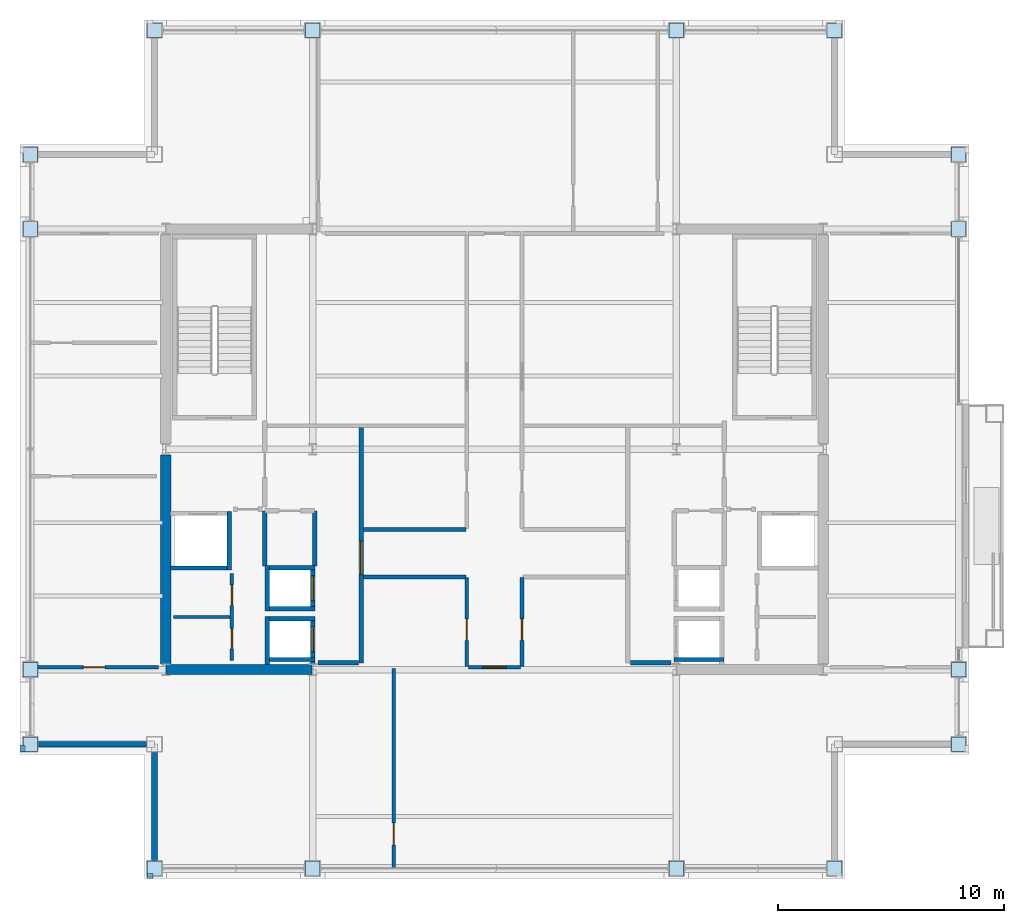
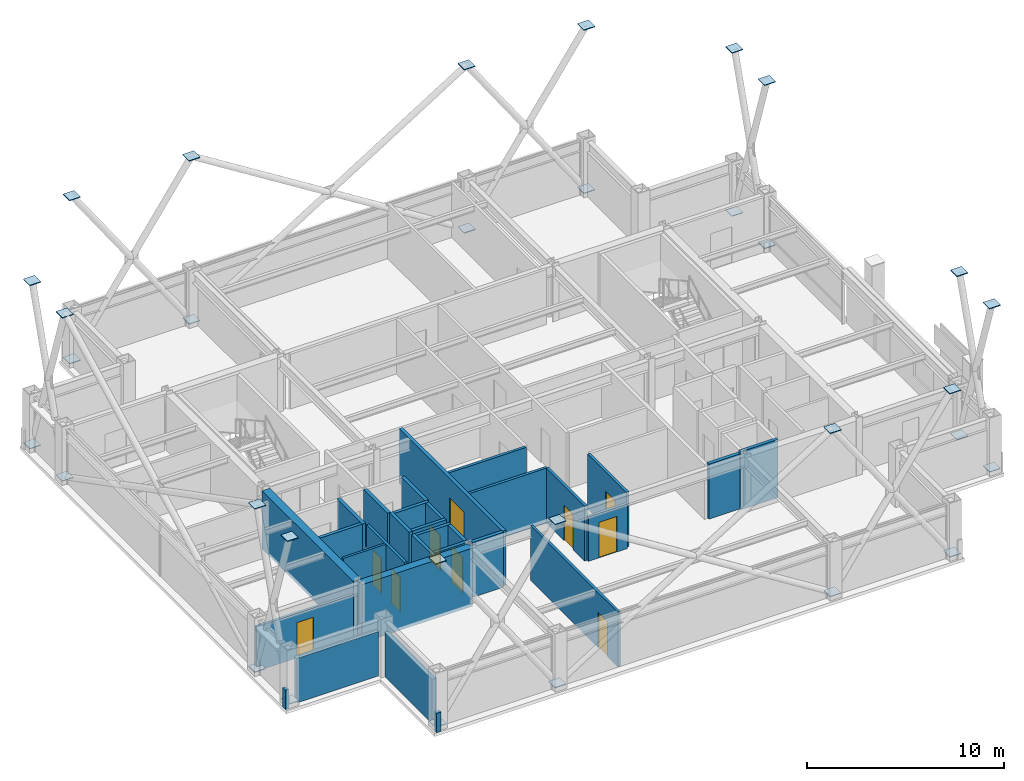
# One storey, part 28 of 33: 32 plates, 31 walls, 10 doors, 10 openings.
"""IFC4 building model written with IfcOpenShell, lengths in metres."""

from ifc_helpers import new_model, si_unit, direction, frame, frame_2d, origin, origin_2d, place, context, subcontext, project, spatial, rectangle, extrude, material, layer, layer_set, type_object, element, fill, save


model = new_model("IFC4")

# Units and contexts
model_context = context("Model", 3, precision=1e-05, world=origin(), true_north=direction((0.0, 1.0)))
body_context = subcontext(model_context, "Body", "Model", "MODEL_VIEW")
ifc_project = project(units=[si_unit("LENGTHUNIT", "METRE"), si_unit("AREAUNIT", "SQUARE_METRE"), si_unit("VOLUMEUNIT", "CUBIC_METRE"), si_unit("PLANEANGLEUNIT", "RADIAN"), si_unit("MASSUNIT", "GRAM", prefix="KILO")], contexts=[model_context])

# Site, building, storey
site_placement = place(None, origin())
site = spatial("IfcSite", under=ifc_project, at=site_placement, CompositionType="ELEMENT")
building_placement = place(site_placement, origin())
building = spatial("IfcBuilding", under=site, at=building_placement, Name="Brelmoor Portico Tower", CompositionType="ELEMENT")
storey_placement = place(building_placement, frame((0.0, 0.0, 194.699951171875)))
storey = spatial("IfcBuildingStorey", under=building, at=storey_placement, Name="L51", CompositionType="ELEMENT", Elevation=194.699951171875)

# Plates
ifc_material_1 = material(Name="Steel Q355B", Category="steel")
ifc_layer_1 = layer(ifc_material_1, 0.044921875)
ifc_layer_set_1 = layer_set([ifc_layer_1], Name="Steel Q355B")
plate_type = type_object("IfcPlateType", Name="PT-CAP-650", PredefinedType="SHEET", material=ifc_layer_set_1)
for number, where, z_axis, x_axis, name in (
    (1, (-15.050048828125, -18.550048828125, 0.2275390625), (0.0, 0.0, 1.0), (1.0, 0.0, 0.0), "L51 Continuous Mega-X Brace 116A Joint Cap Plate 1"),
    (2, (-8.050048828125, -18.550048828125, 10.32763671875), (0.0, 0.0, 1.0), (1.0, 0.0, 0.0), "L51 Continuous Mega-X Brace 116A Joint Cap Plate 2"),
    (3, (-8.050048828125, -18.550048828125, 0.2275390625), (0.0, 0.0, 1.0), (1.0, 0.0, 0.0), "L51 Split Mega-X Brace 116B1 Joint Cap Plate 1"),
    (4, (-15.050048828125, -18.550048828125, 10.32763671875), (0.0, 0.0, 1.0), (1.0, 0.0, 0.0), "L51 Split Mega-X Brace 116B2 Joint Cap Plate 2"),
    (5, (8.050048828125, -18.550048828125, 10.32763671875), (0.0, 0.0, 1.0), (1.0, 0.0, 0.0), "L51 Continuous Mega-X Brace 117A Joint Cap Plate 2"),
    (6, (8.050048828125, -18.550048828125, 0.2275390625), (0.0, 0.0, 1.0), (1.0, 0.0, 0.0), "L51 Split Mega-X Brace 117B1 Joint Cap Plate 1"),
    (7, (15.050048828125, -18.550048828125, 10.32763671875), (0.0, 0.0, 1.0), (1.0, 0.0, 0.0), "L51 Continuous Mega-X Brace 118A Joint Cap Plate 2"),
    (8, (15.050048828125, -18.550048828125, 0.2275390625), (0.0, 0.0, 1.0), (1.0, 0.0, 0.0), "L51 Split Mega-X Brace 118B1 Joint Cap Plate 1"),
    (9, (-15.050048828125, 18.550048828125, 0.2275390625), (0.0, 0.0, 1.0), (1.0, 0.0, 0.0), "L51 Continuous Mega-X Brace 119A Joint Cap Plate 1"),
    (10, (-8.050048828125, 18.550048828125, 10.32763671875), (0.0, 0.0, 1.0), (1.0, 0.0, 0.0), "L51 Continuous Mega-X Brace 119A Joint Cap Plate 2"),
    (11, (-8.050048828125, 18.550048828125, 0.2275390625), (0.0, 0.0, 1.0), (1.0, 0.0, 0.0), "L51 Split Mega-X Brace 119B1 Joint Cap Plate 1"),
    (12, (-15.050048828125, 18.550048828125, 10.32763671875), (0.0, 0.0, 1.0), (1.0, 0.0, 0.0), "L51 Split Mega-X Brace 119B2 Joint Cap Plate 2"),
    (13, (8.050048828125, 18.550048828125, 10.32763671875), (0.0, 0.0, 1.0), (1.0, 0.0, 0.0), "L51 Continuous Mega-X Brace 120A Joint Cap Plate 2"),
    (14, (8.050048828125, 18.550048828125, 0.2275390625), (0.0, 0.0, 1.0), (1.0, 0.0, 0.0), "L51 Split Mega-X Brace 120B1 Joint Cap Plate 1"),
    (15, (15.050048828125, 18.550048828125, 10.32763671875), (0.0, 0.0, 1.0), (1.0, 0.0, 0.0), "L51 Continuous Mega-X Brace 121A Joint Cap Plate 2"),
    (16, (15.050048828125, 18.550048828125, 0.2275390625), (0.0, 0.0, 1.0), (1.0, 0.0, 0.0), "L51 Split Mega-X Brace 121B1 Joint Cap Plate 1"),
    (17, (-20.550048828125, -13.050048828125, 0.2275390625), (0.0, 0.0, 1.0), (1.0, 0.0, 0.0), "L51 Continuous Mega-X Brace 122A Joint Cap Plate 1"),
    (18, (-20.550048828125, -9.75, 10.32763671875), (0.0, 0.0, 1.0), (1.0, 0.0, 0.0), "L51 Continuous Mega-X Brace 122A Joint Cap Plate 2"),
    (19, (-20.550048828125, -9.75, 0.2275390625), (0.0, 0.0, 1.0), (1.0, 0.0, 0.0), "L51 Split Mega-X Brace 122B1 Joint Cap Plate 1"),
    (20, (-20.550048828125, -13.050048828125, 10.32763671875), (0.0, 0.0, 1.0), (1.0, 0.0, 0.0), "L51 Split Mega-X Brace 122B2 Joint Cap Plate 2"),
    (21, (-20.550048828125, 9.75, 10.32763671875), (0.0, 0.0, 1.0), (1.0, 0.0, 0.0), "L51 Continuous Mega-X Brace 123A Joint Cap Plate 2"),
    (22, (-20.550048828125, 9.75, 0.2275390625), (0.0, 0.0, 1.0), (1.0, 0.0, 0.0), "L51 Split Mega-X Brace 123B1 Joint Cap Plate 1"),
    (23, (-20.550048828125, 13.050048828125, 10.32763671875), (0.0, 0.0, 1.0), (1.0, 0.0, 0.0), "L51 Continuous Mega-X Brace 124A Joint Cap Plate 2"),
    (24, (-20.550048828125, 13.050048828125, 0.2275390625), (0.0, 0.0, 1.0), (1.0, 0.0, 0.0), "L51 Split Mega-X Brace 124B1 Joint Cap Plate 1"),
    (25, (20.550048828125, -13.050048828125, 0.2275390625), (0.0, 0.0, 1.0), (1.0, 0.0, 0.0), "L51 Continuous Mega-X Brace 125A Joint Cap Plate 1"),
    (26, (20.550048828125, -9.75, 10.32763671875), (0.0, 0.0, 1.0), (1.0, 0.0, 0.0), "L51 Continuous Mega-X Brace 125A Joint Cap Plate 2"),
    (27, (20.550048828125, -9.75, 0.2275390625), (0.0, 0.0, 1.0), (1.0, 0.0, 0.0), "L51 Split Mega-X Brace 125B1 Joint Cap Plate 1"),
    (28, (20.550048828125, -13.050048828125, 10.32763671875), (0.0, 0.0, 1.0), (1.0, 0.0, 0.0), "L51 Split Mega-X Brace 125B2 Joint Cap Plate 2"),
    (29, (20.550048828125, 9.75, 0.2275390625), (0.0, 0.0, 1.0), (1.0, 0.0, 0.0), "L51 Continuous Mega-X Brace 126A Joint Cap Plate 1"),
    (30, (20.550048828125, 13.050048828125, 10.32763671875), (0.0, 0.0, 1.0), (1.0, 0.0, 0.0), "L51 Continuous Mega-X Brace 126A Joint Cap Plate 2"),
    (31, (20.550048828125, 13.050048828125, 0.2275390625), (0.0, 0.0, 1.0), (1.0, 0.0, 0.0), "L51 Split Mega-X Brace 126B1 Joint Cap Plate 1"),
    (32, (20.550048828125, 9.75, 10.32763671875), (0.0, 0.0, 1.0), (1.0, 0.0, 0.0), "L51 Split Mega-X Brace 126B2 Joint Cap Plate 2"),
):
    element("IfcPlate", number, at=place(storey_placement, frame(where, z_axis=z_axis, x_axis=x_axis)), inside=storey, type_object=plate_type, Name=name, PredefinedType="SHEET", context=body_context, shape_type="SweptSolid", body=[
        extrude(rectangle(XDim=0.64990234375, YDim=0.64990234375, at=origin_2d()), origin(), (0.0, 0.0, 1.0), 0.044921875),
    ])

# Walls
ifc_material_2 = material(Name="Concrete C50", Category="concrete")
ifc_layer_2 = layer(ifc_material_2, 0.449951171875)
ifc_layer_set_2 = layer_set([ifc_layer_2], Name="Concrete C50")
wall_type_1 = type_object("IfcWallType", Name="WL-CORE-450", PredefinedType="SHEAR", material=ifc_layer_set_2)
wall_1_placement = place(storey_placement, frame((-14.530029296875, -9.75, -0.199951171875), z_axis=(0.0, 0.0, 1.0), x_axis=(1.0, 0.0, 0.0)))
element("IfcWall", 33, at=wall_1_placement, inside=storey, type_object=wall_type_1, Name="L51 WC South Shear Wall", PredefinedType="SHEAR", context=body_context, shape_type="SweptSolid", body=[
    extrude(rectangle(XDim=6.4599609375, YDim=0.449951171875, at=frame_2d((3.22998046875, 0.0))), origin(), (0.0, 0.0, 1.0), 3.60009765625),
])
wall_2_placement = place(storey_placement, frame((-14.550048828125, -9.5, -0.199951171875), z_axis=(0.0, 0.0, 1.0), x_axis=(0.0, 1.0, 0.0)))
element("IfcWall", 34, at=wall_2_placement, inside=storey, type_object=wall_type_1, Name="L51 WC Outer South Shear Wall", PredefinedType="SHEAR", context=body_context, shape_type="SweptSolid", body=[
    extrude(rectangle(XDim=9.25, YDim=0.449951171875, at=frame_2d((4.625, 0.0))), origin(), (0.0, 0.0, 1.0), 3.60009765625),
])
ifc_material_3 = material(Name="Precast Concrete C40 Insulated Facade Wall", Category="concrete")
ifc_layer_3 = layer(ifc_material_3, 0.25)
ifc_layer_set_3 = layer_set([ifc_layer_3], Name="Precast Concrete C40 Insulated Facade Wall")
wall_type_2 = type_object("IfcWallType", Name="WL-EXT-250", PredefinedType="STANDARD", material=ifc_layer_set_3)
for number, where, z_axis, x_axis, name in (
    (35, (-20.18994140625, -13.050048828125, 0.0), (0.0, 0.0, 1.0), (1.0, 0.0, 0.0), "L51 Corner Notch Facade Wall NSWH1"),
    (36, (-15.050048828125, -18.18994140625, 0.0), (0.0, 0.0, 1.0), (0.0, 1.0, 0.0), "L51 Corner Notch Facade Wall NSWV1"),
):
    element("IfcWall", number, at=place(storey_placement, frame(where, z_axis=z_axis, x_axis=x_axis)), inside=storey, type_object=wall_type_2, Name=name, PredefinedType="STANDARD", context=body_context, shape_type="SweptSolid", body=[
        extrude(rectangle(XDim=4.780029296875, YDim=0.25, at=frame_2d((2.39013671875, 0.0))), origin(), (0.0, 0.0, 1.0), 2.75),
    ])
ifc_material_4 = material(Name="Concrete C40 Parapet Upstand", Category="concrete")
ifc_layer_4 = layer(ifc_material_4, 0.219970703125)
ifc_layer_set_4 = layer_set([ifc_layer_4], Name="Concrete C40 Parapet Upstand")
wall_type_3 = type_object("IfcWallType", Name="WL-PARAPET-220", PredefinedType="PARAPET", material=ifc_layer_set_4)
for number, where, z_axis, x_axis, name in (
    (37, (-15.389892578125, -18.889892578125, 0.0), (0.0, 0.0, 1.0), (1.0, 0.0, 0.0), "L51 Chamfer Vertex Parapet Pier SW1"),
    (38, (-20.889892578125, -13.389892578125, 0.0), (0.0, 0.0, 1.0), (0.0, 1.0, 0.0), "L51 Chamfer Vertex Parapet Pier SW2"),
):
    element("IfcWall", number, at=place(storey_placement, frame(where, z_axis=z_axis, x_axis=x_axis)), inside=storey, type_object=wall_type_3, Name=name, PredefinedType="PARAPET", context=body_context, shape_type="SweptSolid", body=[
        extrude(rectangle(XDim=0.269775390625, YDim=0.219970703125, at=frame_2d((0.134765625, 0.0))), origin(), (0.0, 0.0, 1.0), 1.199951171875),
    ])
ifc_material_5 = material(Name="Insulated Stud Suite Partition", Category="gypsum")
ifc_layer_5 = layer(ifc_material_5, 0.139892578125)
ifc_layer_set_5 = layer_set([ifc_layer_5], Name="Insulated Stud Suite Partition")
wall_type_4 = type_object("IfcWallType", Name="WL-PART-140", PredefinedType="PARTITIONING", material=ifc_layer_set_5)
wall_3_placement = place(storey_placement, frame((-11.699951171875, -7.425048828125, 0.0), z_axis=(0.0, 0.0, 1.0), x_axis=(-1.0, 0.0, 0.0)))
element("IfcWall", 39, at=wall_3_placement, inside=storey, type_object=wall_type_4, Name="L51 W Core WC Divider 1", PredefinedType="PARTITIONING", context=body_context, shape_type="SweptSolid", body=[
    extrude(rectangle(XDim=2.5, YDim=0.139892578125, at=frame_2d((1.25, 0.0))), origin(), (0.0, 0.0, 1.0), 3.400146484375),
])

# Wall, opening, door
ifc_material_6 = material(Name="Wet-Area Moisture-Resistant Partition", Category="gypsum")
ifc_layer_6 = layer(ifc_material_6, 0.14990234375)
ifc_layer_set_6 = layer_set([ifc_layer_6], Name="Wet-Area Moisture-Resistant Partition")
wall_type_5 = type_object("IfcWallType", Name="WL-PART-150", PredefinedType="PARTITIONING", material=ifc_layer_set_6)
wall_4_placement = place(storey_placement, frame((-4.451171875, -18.56005859375, 0.0), z_axis=(0.0, 0.0, 1.0), x_axis=(0.0, 1.0, 0.0)))
wall_4 = element("IfcWall", 40, at=wall_4_placement, inside=storey, type_object=wall_type_5, Name="L51 South Suite Partition 1", PredefinedType="PARTITIONING", context=body_context, shape_type="SweptSolid", body=[
    extrude(rectangle(XDim=8.85009765625, YDim=0.14990234375, at=frame_2d((4.425048828125, 0.0))), origin(), (0.0, 0.0, 1.0), 3.400146484375),
])
opening_1_placement = place(wall_4_placement, frame((1.050048828125, 0.0, 0.0)))
opening_1 = element("IfcOpeningElement", 41, at=opening_1_placement, cuts=wall_4, Name="Opening D-IN2", PredefinedType="OPENING", context=body_context, shape_type="SweptSolid", body=[
    extrude(rectangle(XDim=0.9599609375, YDim=2.179931640625, at=frame_2d((0.47998046875, 1.08984375))), frame((0.0, 0.0849609375, 0.0), z_axis=(0.0, -1.0, 0.0), x_axis=(1.0, 0.0, 0.0)), (0.0, 0.0, 1.0), 0.169921875),
])
ifc_material_7 = material(Name="Lacquered Timber Suite Door", Category="wood")
door_type_1 = type_object("IfcDoorType", Name="DR-INT-950", OperationType="NOTDEFINED", PredefinedType="DOOR", material=ifc_material_7)
door_1_placement = place(opening_1_placement, origin())
door_1 = element("IfcDoor", 42, at=door_1_placement, inside=storey, type_object=door_type_1, Name="D-2166 L51 South Suite Connecting Door 1", OperationType="SINGLE_SWING_LEFT", OverallHeight=2.179931640625, OverallWidth=0.9599609375, PredefinedType="DOOR", context=body_context, shape_type="SweptSolid", body=[
    extrude(rectangle(XDim=0.9599609375, YDim=2.179931640625, at=frame_2d((0.47998046875, 1.08984375))), frame((0.0, 0.02490234375, 0.0), z_axis=(0.0, -1.0, 0.0), x_axis=(1.0, 0.0, 0.0)), (0.0, 0.0, 1.0), 0.050048828125),
])
fill(opening_1, door_1)

wall_5_placement = place(storey_placement, frame((-20.56005859375, -9.64990234375, 0.0), z_axis=(0.0, 0.0, 1.0), x_axis=(1.0, 0.0, 0.0)))
wall_5 = element("IfcWall", 43, at=wall_5_placement, inside=storey, type_object=wall_type_5, Name="L51 South Wing Closure WL", PredefinedType="PARTITIONING", context=body_context, shape_type="SweptSolid", body=[
    extrude(rectangle(XDim=5.68017578125, YDim=0.14990234375, at=frame_2d((2.840087890625, 0.0))), origin(), (0.0, 0.0, 1.0), 2.75),
])
opening_2_placement = place(wall_5_placement, frame((2.360107421875, 0.0, 0.0)))
opening_2 = element("IfcOpeningElement", 44, at=opening_2_placement, cuts=wall_5, Name="Opening D-IN2", PredefinedType="OPENING", context=body_context, shape_type="SweptSolid", body=[
    extrude(rectangle(XDim=0.9599609375, YDim=2.179931640625, at=frame_2d((0.47998046875, 1.08984375))), frame((0.0, 0.0849609375, 0.0), z_axis=(0.0, -1.0, 0.0), x_axis=(1.0, 0.0, 0.0)), (0.0, 0.0, 1.0), 0.169921875),
])
door_2_placement = place(opening_2_placement, origin())
door_2 = element("IfcDoor", 45, at=door_2_placement, inside=storey, type_object=door_type_1, Name="D-2170 L51 WL Wing South Suite Door", OperationType="SINGLE_SWING_LEFT", OverallHeight=2.179931640625, OverallWidth=0.9599609375, PredefinedType="DOOR", context=body_context, shape_type="SweptSolid", body=[
    extrude(rectangle(XDim=0.9599609375, YDim=2.179931640625, at=frame_2d((0.47998046875, 1.08984375))), frame((0.0, 0.02490234375, 0.0), z_axis=(0.0, -1.0, 0.0), x_axis=(1.0, 0.0, 0.0)), (0.0, 0.0, 1.0), 0.050048828125),
])
fill(opening_2, door_2)

# Wall, openings, doors
ifc_material_8 = material(Name="Twin-Frame Acoustic Partition", Category="gypsum")
ifc_layer_7 = layer(ifc_material_8, 0.159912109375)
ifc_layer_set_7 = layer_set([ifc_layer_7], Name="Twin-Frame Acoustic Partition")
wall_type_6 = type_object("IfcWallType", Name="WL-PART-160", PredefinedType="PARTITIONING", material=ifc_layer_set_7)
wall_6_placement = place(storey_placement, frame((-11.6201171875, -9.35009765625, 0.0), z_axis=(0.0, 0.0, 1.0), x_axis=(0.0, 1.0, 0.0)))
wall_6 = element("IfcWall", 46, at=wall_6_placement, inside=storey, type_object=wall_type_6, Name="L51 W Core Service Front Wall", PredefinedType="PARTITIONING", context=body_context, shape_type="SweptSolid", body=[
    extrude(rectangle(XDim=3.85009765625, YDim=0.159912109375, at=frame_2d((1.925048828125, 0.0))), origin(), (0.0, 0.0, 1.0), 3.400146484375),
])
opening_3_placement = place(wall_6_placement, frame((0.512451171875, 0.0, 0.0)))
opening_3 = element("IfcOpeningElement", 47, at=opening_3_placement, cuts=wall_6, Name="Opening D-IN1", PredefinedType="OPENING", context=body_context, shape_type="SweptSolid", body=[
    extrude(rectangle(XDim=0.89990234375, YDim=2.14990234375, at=frame_2d((0.449951171875, 1.074951171875))), frame((0.0, 0.08984375, 0.0), z_axis=(0.0, -1.0, 0.0), x_axis=(1.0, 0.0, 0.0)), (0.0, 0.0, 1.0), 0.179931640625),
])
opening_4_placement = place(wall_6_placement, frame((2.4375, 0.0, 0.0)))
opening_4 = element("IfcOpeningElement", 48, at=opening_4_placement, cuts=wall_6, Name="Opening D-IN1", PredefinedType="OPENING", context=body_context, shape_type="SweptSolid", body=[
    extrude(rectangle(XDim=0.89990234375, YDim=2.14990234375, at=frame_2d((0.449951171875, 1.074951171875))), frame((0.0, 0.08984375, 0.0), z_axis=(0.0, -1.0, 0.0), x_axis=(1.0, 0.0, 0.0)), (0.0, 0.0, 1.0), 0.179931640625),
])
door_type_2 = type_object("IfcDoorType", Name="DR-INT-900", OperationType="NOTDEFINED", PredefinedType="DOOR", material=ifc_material_7)
door_3_placement = place(opening_3_placement, origin())
door_3 = element("IfcDoor", 49, at=door_3_placement, inside=storey, type_object=door_type_2, Name="D-2151 L51 W Accessible WC Door", OperationType="SINGLE_SWING_RIGHT", OverallHeight=2.14990234375, OverallWidth=0.89990234375, PredefinedType="DOOR", context=body_context, shape_type="SweptSolid", body=[
    extrude(rectangle(XDim=0.89990234375, YDim=2.14990234375, at=frame_2d((0.449951171875, 1.074951171875))), frame((0.0, 0.02490234375, 0.0), z_axis=(0.0, -1.0, 0.0), x_axis=(1.0, 0.0, 0.0)), (0.0, 0.0, 1.0), 0.050048828125),
])
fill(opening_3, door_3)
door_4_placement = place(opening_4_placement, origin())
door_4 = element("IfcDoor", 50, at=door_4_placement, inside=storey, type_object=door_type_2, Name="D-2152 L51 W Staff WC Door", OperationType="SINGLE_SWING_LEFT", OverallHeight=2.14990234375, OverallWidth=0.89990234375, PredefinedType="DOOR", context=body_context, shape_type="SweptSolid", body=[
    extrude(rectangle(XDim=0.89990234375, YDim=2.14990234375, at=frame_2d((0.449951171875, 1.074951171875))), frame((0.0, 0.02490234375, 0.0), z_axis=(0.0, -1.0, 0.0), x_axis=(1.0, 0.0, 0.0)), (0.0, 0.0, 1.0), 0.050048828125),
])
fill(opening_4, door_4)

# Wall
wall_7_placement = place(storey_placement, frame((-5.800048828125, -3.550048828125, 0.0), z_axis=(0.0, 0.0, 1.0), x_axis=(1.0, 0.0, 0.0)))
element("IfcWall", 51, at=wall_7_placement, inside=storey, type_object=wall_type_6, Name="L51 West Pantry South Wall", PredefinedType="PARTITIONING", context=body_context, shape_type="SweptSolid", body=[
    extrude(rectangle(XDim=4.5400390625, YDim=0.159912109375, at=frame_2d((2.27001953125, 0.0))), origin(), (0.0, 0.0, 1.0), 3.400146484375),
])

# Wall, opening, door
wall_8_placement = place(storey_placement, frame((-1.219970703125, -9.610107421875, 0.0), z_axis=(0.0, 0.0, 1.0), x_axis=(0.0, 1.0, 0.0)))
wall_8 = element("IfcWall", 52, at=wall_8_placement, inside=storey, type_object=wall_type_6, Name="L51 South Cross West Wall", PredefinedType="PARTITIONING", context=body_context, shape_type="SweptSolid", body=[
    extrude(rectangle(XDim=3.93017578125, YDim=0.159912109375, at=frame_2d((1.965087890625, 0.0))), origin(), (0.0, 0.0, 1.0), 3.400146484375),
])
opening_5_placement = place(wall_8_placement, frame((1.14990234375, 0.0, 0.0)))
opening_5 = element("IfcOpeningElement", 53, at=opening_5_placement, cuts=wall_8, Name="Opening D-IN2", PredefinedType="OPENING", context=body_context, shape_type="SweptSolid", body=[
    extrude(rectangle(XDim=0.9599609375, YDim=2.179931640625, at=frame_2d((0.47998046875, 1.08984375))), frame((0.0, 0.08984375, 0.0), z_axis=(0.0, -1.0, 0.0), x_axis=(1.0, 0.0, 0.0)), (0.0, 0.0, 1.0), 0.179931640625),
])
door_5_placement = place(opening_5_placement, origin())
door_5 = element("IfcDoor", 54, at=door_5_placement, inside=storey, type_object=door_type_1, Name="D-2144 L51 South-West Archive Room Door", OperationType="SINGLE_SWING_LEFT", OverallHeight=2.179931640625, OverallWidth=0.9599609375, PredefinedType="DOOR", context=body_context, shape_type="SweptSolid", body=[
    extrude(rectangle(XDim=0.9599609375, YDim=2.179931640625, at=frame_2d((0.47998046875, 1.08984375))), frame((0.0, 0.02490234375, 0.0), z_axis=(0.0, -1.0, 0.0), x_axis=(1.0, 0.0, 0.0)), (0.0, 0.0, 1.0), 0.050048828125),
])
fill(opening_5, door_5)

wall_9_placement = place(storey_placement, frame((1.219970703125, -9.610107421875, 0.0), z_axis=(0.0, 0.0, 1.0), x_axis=(0.0, 1.0, 0.0)))
wall_9 = element("IfcWall", 55, at=wall_9_placement, inside=storey, type_object=wall_type_6, Name="L51 South Cross East Wall", PredefinedType="PARTITIONING", context=body_context, shape_type="SweptSolid", body=[
    extrude(rectangle(XDim=3.93017578125, YDim=0.159912109375, at=frame_2d((1.965087890625, 0.0))), origin(), (0.0, 0.0, 1.0), 3.400146484375),
])
opening_6_placement = place(wall_9_placement, frame((1.14990234375, 0.0, 0.0)))
opening_6 = element("IfcOpeningElement", 56, at=opening_6_placement, cuts=wall_9, Name="Opening D-IN2", PredefinedType="OPENING", context=body_context, shape_type="SweptSolid", body=[
    extrude(rectangle(XDim=0.9599609375, YDim=2.179931640625, at=frame_2d((0.47998046875, 1.08984375))), frame((0.0, 0.08984375, 0.0), z_axis=(0.0, -1.0, 0.0), x_axis=(1.0, 0.0, 0.0)), (0.0, 0.0, 1.0), 0.179931640625),
])
door_6_placement = place(opening_6_placement, origin())
door_6 = element("IfcDoor", 57, at=door_6_placement, inside=storey, type_object=door_type_1, Name="D-2143 L51 South-East Partner Office Door", OperationType="SINGLE_SWING_RIGHT", OverallHeight=2.179931640625, OverallWidth=0.9599609375, PredefinedType="DOOR", context=body_context, shape_type="SweptSolid", body=[
    extrude(rectangle(XDim=0.9599609375, YDim=2.179931640625, at=frame_2d((0.47998046875, 1.08984375))), frame((0.0, 0.02490234375, 0.0), z_axis=(0.0, -1.0, 0.0), x_axis=(1.0, 0.0, 0.0)), (0.0, 0.0, 1.0), 0.050048828125),
])
fill(opening_6, door_6)

# Wall
wall_10_placement = place(storey_placement, frame((-5.800048828125, -5.64990234375, 0.0), z_axis=(0.0, 0.0, 1.0), x_axis=(1.0, 0.0, 0.0)))
element("IfcWall", 58, at=wall_10_placement, inside=storey, type_object=wall_type_6, Name="L51 South-West Chamber Top Wall", PredefinedType="PARTITIONING", context=body_context, shape_type="SweptSolid", body=[
    extrude(rectangle(XDim=4.5400390625, YDim=0.159912109375, at=frame_2d((2.27001953125, 0.0))), origin(), (0.0, 0.0, 1.0), 3.400146484375),
])

# Wall, opening, door
wall_11_placement = place(storey_placement, frame((-1.14990234375, -9.64990234375, 0.0), z_axis=(0.0, 0.0, 1.0), x_axis=(1.0, 0.0, 0.0)))
wall_11 = element("IfcWall", 59, at=wall_11_placement, inside=storey, type_object=wall_type_6, Name="L51 South Corridor Partition", PredefinedType="PARTITIONING", context=body_context, shape_type="SweptSolid", body=[
    extrude(rectangle(XDim=2.2998046875, YDim=0.159912109375, at=frame_2d((1.14990234375, 0.0))), origin(), (0.0, 0.0, 1.0), 2.75),
])
opening_7_placement = place(wall_11_placement, frame((0.6201171875, 0.0, 0.0)))
opening_7 = element("IfcOpeningElement", 60, at=opening_7_placement, cuts=wall_11, Name="Opening D-OF2", PredefinedType="OPENING", context=body_context, shape_type="SweptSolid", body=[
    extrude(rectangle(XDim=1.06005859375, YDim=2.199951171875, at=frame_2d((0.530029296875, 1.10009765625))), frame((0.0, 0.08984375, 0.0), z_axis=(0.0, -1.0, 0.0), x_axis=(1.0, 0.0, 0.0)), (0.0, 0.0, 1.0), 0.179931640625),
])
ifc_material_9 = material(Name="Hardwood Acoustic Veneer Door", Category="wood")
door_type_3 = type_object("IfcDoorType", Name="DR-OFFICE-1050", OperationType="NOTDEFINED", PredefinedType="DOOR", material=ifc_material_9)
door_7_placement = place(opening_7_placement, origin())
door_7 = element("IfcDoor", 61, at=door_7_placement, inside=storey, type_object=door_type_3, Name="D-2165 L51 South Staff Tea Pantry 2 Door", OperationType="SINGLE_SWING_RIGHT", OverallHeight=2.199951171875, OverallWidth=1.06005859375, PredefinedType="DOOR", context=body_context, shape_type="SweptSolid", body=[
    extrude(rectangle(XDim=1.06005859375, YDim=2.199951171875, at=frame_2d((0.530029296875, 1.10009765625))), frame((0.0, 0.02490234375, 0.0), z_axis=(0.0, -1.0, 0.0), x_axis=(1.0, 0.0, 0.0)), (0.0, 0.0, 1.0), 0.050048828125),
])
fill(opening_7, door_7)

ifc_material_10 = material(Name="Double-Stud Gypsum Fire Partition", Category="gypsum")
ifc_layer_8 = layer(ifc_material_10, 0.199951171875)
ifc_layer_set_8 = layer_set([ifc_layer_8], Name="Double-Stud Gypsum Fire Partition")
wall_type_7 = type_object("IfcWallType", Name="WL-PART-200", PredefinedType="PARTITIONING", material=ifc_layer_set_8)
wall_12_placement = place(storey_placement, frame((-5.89990234375, -9.449951171875, 0.0), z_axis=(0.0, 0.0, 1.0), x_axis=(0.0, 1.0, 0.0)))
wall_12 = element("IfcWall", 62, at=wall_12_placement, inside=storey, type_object=wall_type_7, Name="L51 W Core Lobby Compartment Wall", PredefinedType="PARTITIONING", context=body_context, shape_type="SweptSolid", body=[
    extrude(rectangle(XDim=10.5, YDim=0.199951171875, at=frame_2d((5.25, 0.0))), origin(), (0.0, 0.0, 1.0), 3.400146484375),
])
opening_8_placement = place(wall_12_placement, frame((3.89990234375, 0.0, 0.0)))
opening_8 = element("IfcOpeningElement", 63, at=opening_8_placement, cuts=wall_12, Name="Opening D-LB1", PredefinedType="OPENING", context=body_context, shape_type="SweptSolid", body=[
    extrude(rectangle(XDim=1.5, YDim=2.199951171875, at=frame_2d((0.75, 1.10009765625))), frame((0.0, 0.10986328125, 0.0), z_axis=(0.0, -1.0, 0.0), x_axis=(1.0, 0.0, 0.0)), (0.0, 0.0, 1.0), 0.219970703125),
])
ifc_material_11 = material(Name="Double-Leaf Glazed Steel Fire Door", Category="steel")
door_type_4 = type_object("IfcDoorType", Name="DR-LOBBY-1500", OperationType="NOTDEFINED", PredefinedType="DOOR", material=ifc_material_11)
door_8_placement = place(opening_8_placement, origin())
door_8 = element("IfcDoor", 64, at=door_8_placement, inside=storey, type_object=door_type_4, Name="D-2158 L51 W Lift Lobby Main Door", OperationType="DOUBLE_DOOR_SINGLE_SWING", OverallHeight=2.199951171875, OverallWidth=1.5, PredefinedType="DOOR", context=body_context, shape_type="SweptSolid", body=[
    extrude(rectangle(XDim=1.5, YDim=2.199951171875, at=frame_2d((0.75, 1.10009765625))), frame((0.0, 0.02490234375, 0.0), z_axis=(0.0, -1.0, 0.0), x_axis=(1.0, 0.0, 0.0)), (0.0, 0.0, 1.0), 0.050048828125),
])
fill(opening_8, door_8)

# Walls
wall_13_placement = place(storey_placement, frame((-6.02001953125, -9.449951171875, 0.0), z_axis=(0.0, 0.0, 1.0), x_axis=(-1.0, 0.0, 0.0)))
element("IfcWall", 65, at=wall_13_placement, inside=storey, type_object=wall_type_7, Name="L51 W Lift Lobby South End Wall", PredefinedType="PARTITIONING", context=body_context, shape_type="SweptSolid", body=[
    extrude(rectangle(XDim=1.800048828125, YDim=0.199951171875, at=frame_2d((0.89990234375, 0.0))), origin(), (0.0, 0.0, 1.0), 3.400146484375),
])
for number, where, z_axis, x_axis, name in (
    (66, (-7.9599609375, -5.159912109375, 0.0), (0.0, 0.0, 1.0), (0.0, 1.0, 0.0), "L51 W Electrical Switchgear Closet Inner Wall"),
    (67, (-10.159912109375, -5.159912109375, 0.0), (0.0, 0.0, 1.0), (0.0, 1.0, 0.0), "L51 W Electrical Switchgear Closet Outer Wall"),
):
    element("IfcWall", number, at=place(storey_placement, frame(where, z_axis=z_axis, x_axis=x_axis)), inside=storey, type_object=wall_type_7, Name=name, PredefinedType="PARTITIONING", context=body_context, shape_type="SweptSolid", body=[
        extrude(rectangle(XDim=2.43994140625, YDim=0.199951171875, at=frame_2d((1.219970703125, 0.0))), origin(), (0.0, 0.0, 1.0), 3.400146484375),
    ])
wall_14_placement = place(storey_placement, frame((6.02001953125, -9.449951171875, 0.0), z_axis=(0.0, 0.0, 1.0), x_axis=(1.0, 0.0, 0.0)))
element("IfcWall", 68, at=wall_14_placement, inside=storey, type_object=wall_type_7, Name="L51 E Lift Lobby South End Wall", PredefinedType="PARTITIONING", context=body_context, shape_type="SweptSolid", body=[
    extrude(rectangle(XDim=1.800048828125, YDim=0.199951171875, at=frame_2d((0.89990234375, 0.0))), origin(), (0.0, 0.0, 1.0), 3.400146484375),
])

# Wall, opening, door
ifc_material_12 = material(Name="Precast Concrete C40", Category="concrete")
ifc_layer_9 = layer(ifc_material_12, 0.18994140625)
ifc_layer_set_9 = layer_set([ifc_layer_9], Name="Precast Concrete C40")
wall_type_8 = type_object("IfcWallType", Name="WL-SHAFT-180", PredefinedType="SOLIDWALL", material=ifc_layer_set_9)
wall_15_placement = place(storey_placement, frame((-8.044921875, -9.52001953125, -0.199951171875), z_axis=(0.0, 0.0, 1.0), x_axis=(0.0, 1.0, 0.0)))
wall_15 = element("IfcWall", 69, at=wall_15_placement, inside=storey, type_object=wall_type_8, Name="L51 Lift PH1 Hoistway Front Wall", PredefinedType="SOLIDWALL", context=body_context, shape_type="SweptSolid", body=[
    extrude(rectangle(XDim=2.1201171875, YDim=0.18994140625, at=frame_2d((1.06005859375, 0.0))), origin(), (0.0, 0.0, 1.0), 3.60009765625),
])
opening_9_placement = place(wall_15_placement, frame((0.570068359375, 0.0, 0.199951171875)))
opening_9 = element("IfcOpeningElement", 70, at=opening_9_placement, cuts=wall_15, Name="Opening LD-01", PredefinedType="OPENING", context=body_context, shape_type="SweptSolid", body=[
    extrude(rectangle(XDim=1.10009765625, YDim=2.199951171875, at=frame_2d((0.550048828125, 1.10009765625))), frame((0.0, 0.10498046875, 0.0), z_axis=(0.0, -1.0, 0.0), x_axis=(1.0, 0.0, 0.0)), (0.0, 0.0, 1.0), 0.2099609375),
])
ifc_material_13 = material(Name="Brushed Stainless Steel Sliding Lift Door", Category="steel")
door_type_5 = type_object("IfcDoorType", Name="DR-LIFT-1100", OperationType="NOTDEFINED", PredefinedType="DOOR", material=ifc_material_13)
door_9_placement = place(opening_9_placement, origin())
door_9 = element("IfcDoor", 71, at=door_9_placement, inside=storey, type_object=door_type_5, Name="D-2176 L51 Lift PH1 Sliding Landing Door", OperationType="SLIDING_TO_LEFT", OverallHeight=2.199951171875, OverallWidth=1.10009765625, PredefinedType="DOOR", context=body_context, shape_type="SweptSolid", body=[
    extrude(rectangle(XDim=1.10009765625, YDim=2.199951171875, at=frame_2d((0.550048828125, 1.10009765625))), frame((0.0, 0.02490234375, 0.0), z_axis=(0.0, -1.0, 0.0), x_axis=(1.0, 0.0, 0.0)), (0.0, 0.0, 1.0), 0.050048828125),
])
fill(opening_9, door_9)

# Walls
wall_16_placement = place(storey_placement, frame((-10.054931640625, -9.52001953125, -0.199951171875), z_axis=(0.0, 0.0, 1.0), x_axis=(0.0, 1.0, 0.0)))
element("IfcWall", 72, at=wall_16_placement, inside=storey, type_object=wall_type_8, Name="L51 Lift PH1 Hoistway Back Wall", PredefinedType="SOLIDWALL", context=body_context, shape_type="SweptSolid", body=[
    extrude(rectangle(XDim=2.1201171875, YDim=0.18994140625, at=frame_2d((1.06005859375, 0.0))), origin(), (0.0, 0.0, 1.0), 3.60009765625),
])
for number, where, z_axis, x_axis, name in (
    (73, (-10.14990234375, -7.4951171875, -0.199951171875), (0.0, 0.0, 1.0), (1.0, 0.0, 0.0), "L51 Lift PH1 Hoistway North Wall"),
    (74, (-10.14990234375, -9.304931640625, -0.199951171875), (0.0, 0.0, 1.0), (1.0, 0.0, 0.0), "L51 Lift PH1 Hoistway South Wall"),
):
    element("IfcWall", number, at=place(storey_placement, frame(where, z_axis=z_axis, x_axis=x_axis)), inside=storey, type_object=wall_type_8, Name=name, PredefinedType="SOLIDWALL", context=body_context, shape_type="SweptSolid", body=[
        extrude(rectangle(XDim=2.199951171875, YDim=0.18994140625, at=frame_2d((1.10009765625, 0.0))), origin(), (0.0, 0.0, 1.0), 3.60009765625),
    ])

# Wall, opening, door
wall_17_placement = place(storey_placement, frame((-8.044921875, -7.14990234375, -0.199951171875), z_axis=(0.0, 0.0, 1.0), x_axis=(0.0, 1.0, 0.0)))
wall_17 = element("IfcWall", 75, at=wall_17_placement, inside=storey, type_object=wall_type_8, Name="L51 Lift PH2 Hoistway Front Wall", PredefinedType="SOLIDWALL", context=body_context, shape_type="SweptSolid", body=[
    extrude(rectangle(XDim=2.0, YDim=0.18994140625, at=frame_2d((1.0, 0.0))), origin(), (0.0, 0.0, 1.0), 3.60009765625),
])
opening_10_placement = place(wall_17_placement, frame((0.449951171875, 0.0, 0.199951171875)))
opening_10 = element("IfcOpeningElement", 76, at=opening_10_placement, cuts=wall_17, Name="Opening LD-01", PredefinedType="OPENING", context=body_context, shape_type="SweptSolid", body=[
    extrude(rectangle(XDim=1.10009765625, YDim=2.199951171875, at=frame_2d((0.550048828125, 1.10009765625))), frame((0.0, 0.10498046875, 0.0), z_axis=(0.0, -1.0, 0.0), x_axis=(1.0, 0.0, 0.0)), (0.0, 0.0, 1.0), 0.2099609375),
])
door_10_placement = place(opening_10_placement, origin())
door_10 = element("IfcDoor", 77, at=door_10_placement, inside=storey, type_object=door_type_5, Name="D-2177 L51 Lift PH2 Sliding Landing Door", OperationType="SLIDING_TO_LEFT", OverallHeight=2.199951171875, OverallWidth=1.10009765625, PredefinedType="DOOR", context=body_context, shape_type="SweptSolid", body=[
    extrude(rectangle(XDim=1.10009765625, YDim=2.199951171875, at=frame_2d((0.550048828125, 1.10009765625))), frame((0.0, 0.02490234375, 0.0), z_axis=(0.0, -1.0, 0.0), x_axis=(1.0, 0.0, 0.0)), (0.0, 0.0, 1.0), 0.050048828125),
])
fill(opening_10, door_10)

# Walls
wall_18_placement = place(storey_placement, frame((-10.054931640625, -7.14990234375, -0.199951171875), z_axis=(0.0, 0.0, 1.0), x_axis=(0.0, 1.0, 0.0)))
element("IfcWall", 78, at=wall_18_placement, inside=storey, type_object=wall_type_8, Name="L51 Lift PH2 Hoistway Back Wall", PredefinedType="SOLIDWALL", context=body_context, shape_type="SweptSolid", body=[
    extrude(rectangle(XDim=2.0, YDim=0.18994140625, at=frame_2d((1.0, 0.0))), origin(), (0.0, 0.0, 1.0), 3.60009765625),
])
for number, where, z_axis, x_axis, name in (
    (79, (-10.14990234375, -5.2451171875, -0.199951171875), (0.0, 0.0, 1.0), (1.0, 0.0, 0.0), "L51 Lift PH2 Hoistway North Wall"),
    (80, (-10.14990234375, -7.054931640625, -0.199951171875), (0.0, 0.0, 1.0), (1.0, 0.0, 0.0), "L51 Lift PH2 Hoistway South Wall"),
    (81, (7.949951171875, -9.304931640625, -0.199951171875), (0.0, 0.0, 1.0), (1.0, 0.0, 0.0), "L51 Lift PH3 Hoistway South Wall"),
):
    element("IfcWall", number, at=place(storey_placement, frame(where, z_axis=z_axis, x_axis=x_axis)), inside=storey, type_object=wall_type_8, Name=name, PredefinedType="SOLIDWALL", context=body_context, shape_type="SweptSolid", body=[
        extrude(rectangle(XDim=2.199951171875, YDim=0.18994140625, at=frame_2d((1.10009765625, 0.0))), origin(), (0.0, 0.0, 1.0), 3.60009765625),
    ])
wall_19_placement = place(storey_placement, frame((-14.330078125, -5.2548828125, -0.199951171875), z_axis=(0.0, 0.0, 1.0), x_axis=(1.0, 0.0, 0.0)))
element("IfcWall", 82, at=wall_19_placement, inside=storey, type_object=wall_type_8, Name="L51 Firefighting Lift FF1 South Wall", PredefinedType="SOLIDWALL", context=body_context, shape_type="SweptSolid", body=[
    extrude(rectangle(XDim=2.68017578125, YDim=0.18994140625, at=frame_2d((1.340087890625, 0.0))), origin(), (0.0, 0.0, 1.0), 3.60009765625),
])
wall_20_placement = place(storey_placement, frame((-11.7451171875, -5.35009765625, -0.199951171875), z_axis=(0.0, 0.0, 1.0), x_axis=(0.0, 1.0, 0.0)))
element("IfcWall", 83, at=wall_20_placement, inside=storey, type_object=wall_type_8, Name="L51 Firefighting Lift FF1 Inner Wall", PredefinedType="SOLIDWALL", context=body_context, shape_type="SweptSolid", body=[
    extrude(rectangle(XDim=2.60009765625, YDim=0.18994140625, at=frame_2d((1.300048828125, 0.0))), origin(), (0.0, 0.0, 1.0), 3.60009765625),
])

save(model, "model.ifc")
